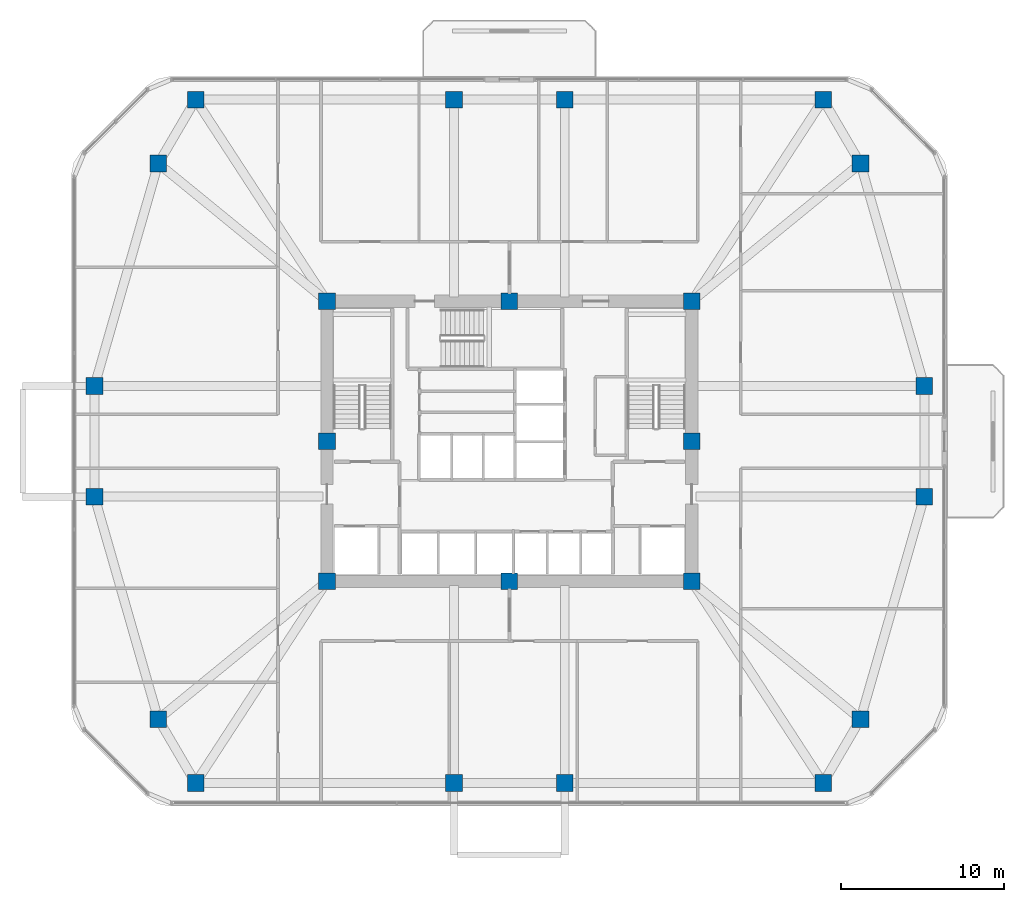
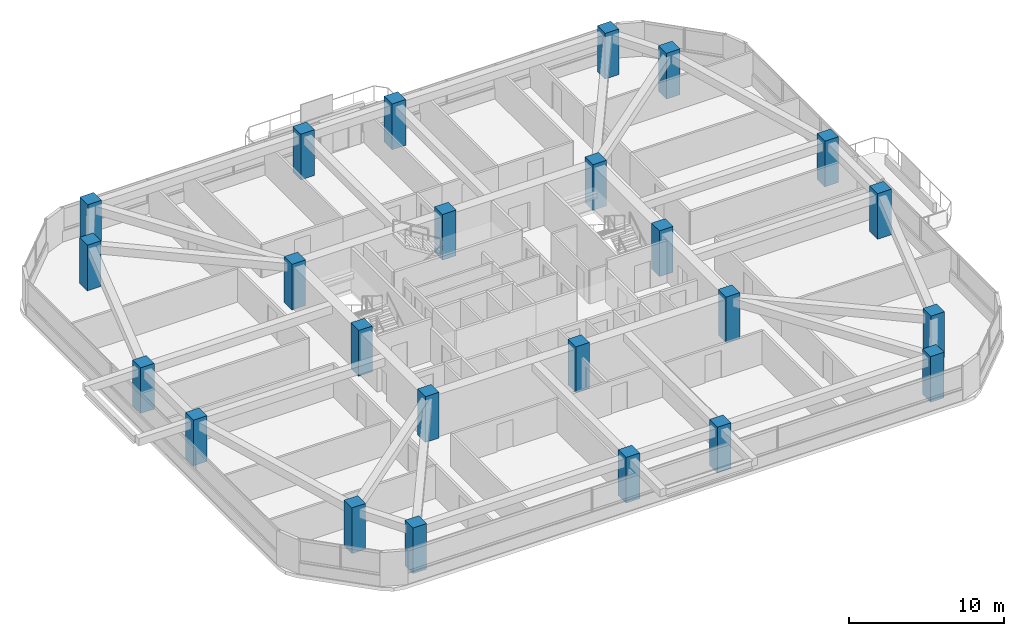
# One storey, part 1 of 14: 24 columns.
"""IFC4 building model written with IfcOpenShell, lengths in metres."""

from ifc_helpers import new_model, si_unit, derived_unit, direction, frame, origin, origin_2d, place, context, subcontext, project, spatial, rectangle, extrude, material, material_profile, profile_set, type_object, element, save


model = new_model("IFC4")

# Units and contexts
model_context = context("Model", 3, precision=1e-05, world=origin(), true_north=direction((0.0, 1.0)))
body_context = subcontext(model_context, "Body", "Model", "MODEL_VIEW")
ifc_project = project(units=[si_unit("LENGTHUNIT", "METRE"), si_unit("AREAUNIT", "SQUARE_METRE"), si_unit("VOLUMEUNIT", "CUBIC_METRE"), si_unit("PLANEANGLEUNIT", "RADIAN"), si_unit("MASSUNIT", "GRAM", prefix="KILO"), derived_unit("THERMALTRANSMITTANCEUNIT", [(si_unit("POWERUNIT", "WATT"), 1), (si_unit("LENGTHUNIT", "METRE"), -2), (si_unit("THERMODYNAMICTEMPERATUREUNIT", "KELVIN"), -1)])], contexts=[model_context])

# Site, building, storey
site_placement = place(None, origin())
site = spatial("IfcSite", under=ifc_project, at=site_placement, CompositionType="ELEMENT")
building_placement = place(site_placement, origin())
building = spatial("IfcBuilding", under=site, at=building_placement, Name="Koralith Skygarden Medical Center", CompositionType="ELEMENT")
storey_placement = place(building_placement, frame((0.0, 0.0, 81.179931640625)))
storey = spatial("IfcBuildingStorey", under=building, at=storey_placement, Name="L20", CompositionType="ELEMENT", Elevation=81.179931640625)

# Columns
ifc_material = material(Name="Concrete C70/85", Category="concrete")
ifc_material_profile_1 = material_profile(ifc_material, rectangle(XDim=1.02001953125, YDim=1.02001953125, at=origin_2d()), Name="RC1020X1020")
ifc_profile_set_1 = profile_set([ifc_material_profile_1], Name="Concrete C70/85")
column_type_1 = type_object("IfcColumnType", Name="Core Mega-Column C70 RC1020", PredefinedType="COLUMN", material=ifc_profile_set_1)
for number, where, z_axis, x_axis, name in (
    (1, (25.800048828125, 17.300048828125, 0.0), (0.0, 0.0, 1.0), (1.0, 0.0, 0.0), "L20 Core Column CC-01"),
    (2, (37.0, 17.300048828125, 0.0), (0.0, 0.0, 1.0), (1.0, 0.0, 0.0), "L20 Core Column CC-02"),
    (3, (48.199951171875, 17.300048828125, 0.0), (0.0, 0.0, 1.0), (1.0, 0.0, 0.0), "L20 Core Column CC-03"),
    (4, (48.199951171875, 25.89990234375, 0.0), (0.0, 0.0, 1.0), (1.0, 0.0, 0.0), "L20 Core Column CC-04"),
    (5, (48.199951171875, 34.5, 0.0), (0.0, 0.0, 1.0), (1.0, 0.0, 0.0), "L20 Core Column CC-05"),
    (6, (37.0, 34.5, 0.0), (0.0, 0.0, 1.0), (1.0, 0.0, 0.0), "L20 Core Column CC-06"),
    (7, (25.800048828125, 34.5, 0.0), (0.0, 0.0, 1.0), (1.0, 0.0, 0.0), "L20 Core Column CC-07"),
    (8, (25.800048828125, 25.89990234375, 0.0), (0.0, 0.0, 1.0), (1.0, 0.0, 0.0), "L20 Core Column CC-08"),
):
    element("IfcColumn", number, at=place(storey_placement, frame(where, z_axis=z_axis, x_axis=x_axis)), inside=storey, type_object=column_type_1, Name=name, PredefinedType="COLUMN", context=body_context, shape_type="SweptSolid", body=[
        extrude(rectangle(XDim=1.02001953125, YDim=1.02001953125, at=origin_2d()), origin(), (0.0, 0.0, 1.0), 3.60009765625),
    ])
ifc_material_profile_2 = material_profile(ifc_material, rectangle(XDim=1.02001953125, YDim=1.02001953125, at=origin_2d()), Name="RC1020X1020")
ifc_profile_set_2 = profile_set([ifc_material_profile_2], Name="Concrete C70/85")
column_type_2 = type_object("IfcColumnType", Name="Zone 2 Waist-In Mega-Column C70 RC1020", PredefinedType="COLUMN", material=ifc_profile_set_2)
for number, where, z_axis, x_axis, name in (
    (9, (11.52001953125, 22.5, 0.0), (0.0, 0.0, 1.0), (1.0, 0.0, 0.0), "L20 Perimeter Mega-Column MC-01"),
    (10, (15.43994140625, 8.840087890625, 0.0), (0.0, 0.0, 1.0), (1.0, 0.0, 0.0), "L20 Perimeter Mega-Column MC-02"),
    (11, (17.73193359375, 4.919921875, 0.0), (0.0, 0.0, 1.0), (1.0, 0.0, 0.0), "L20 Perimeter Mega-Column MC-03"),
    (12, (33.60009765625, 4.919921875, 0.0), (0.0, 0.0, 1.0), (1.0, 0.0, 0.0), "L20 Perimeter Mega-Column MC-04"),
    (13, (40.39990234375, 4.919921875, 0.0), (0.0, 0.0, 1.0), (1.0, 0.0, 0.0), "L20 Perimeter Mega-Column MC-05"),
    (14, (56.26806640625, 4.919921875, 0.0), (0.0, 0.0, 1.0), (1.0, 0.0, 0.0), "L20 Perimeter Mega-Column MC-06"),
    (15, (58.56005859375, 8.840087890625, 0.0), (0.0, 0.0, 1.0), (1.0, 0.0, 0.0), "L20 Perimeter Mega-Column MC-07"),
    (16, (62.47998046875, 22.5, 0.0), (0.0, 0.0, 1.0), (1.0, 0.0, 0.0), "L20 Perimeter Mega-Column MC-08"),
    (17, (62.47998046875, 29.300048828125, 0.0), (0.0, 0.0, 1.0), (1.0, 0.0, 0.0), "L20 Perimeter Mega-Column MC-09"),
    (18, (58.56005859375, 42.9599609375, 0.0), (0.0, 0.0, 1.0), (1.0, 0.0, 0.0), "L20 Perimeter Mega-Column MC-10"),
    (19, (56.26806640625, 46.8798828125, 0.0), (0.0, 0.0, 1.0), (1.0, 0.0, 0.0), "L20 Perimeter Mega-Column MC-11"),
    (20, (40.39990234375, 46.8798828125, 0.0), (0.0, 0.0, 1.0), (1.0, 0.0, 0.0), "L20 Perimeter Mega-Column MC-12"),
    (21, (33.60009765625, 46.8798828125, 0.0), (0.0, 0.0, 1.0), (1.0, 0.0, 0.0), "L20 Perimeter Mega-Column MC-13"),
    (22, (17.73193359375, 46.8798828125, 0.0), (0.0, 0.0, 1.0), (1.0, 0.0, 0.0), "L20 Perimeter Mega-Column MC-14"),
    (23, (15.43994140625, 42.9599609375, 0.0), (0.0, 0.0, 1.0), (1.0, 0.0, 0.0), "L20 Perimeter Mega-Column MC-15"),
    (24, (11.52001953125, 29.300048828125, 0.0), (0.0, 0.0, 1.0), (1.0, 0.0, 0.0), "L20 Perimeter Mega-Column MC-16"),
):
    element("IfcColumn", number, at=place(storey_placement, frame(where, z_axis=z_axis, x_axis=x_axis)), inside=storey, type_object=column_type_2, Name=name, PredefinedType="COLUMN", context=body_context, shape_type="SweptSolid", body=[
        extrude(rectangle(XDim=1.02001953125, YDim=1.02001953125, at=origin_2d()), origin(), (0.0, 0.0, 1.0), 3.60009765625),
    ])

save(model, "model.ifc")
